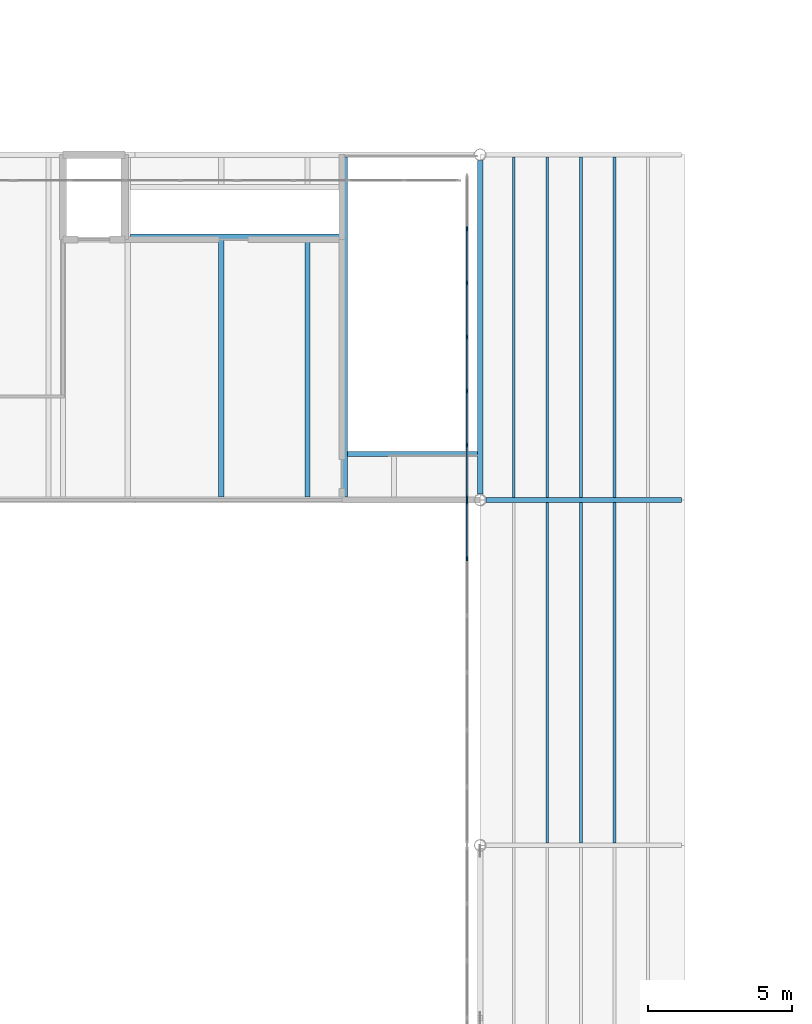
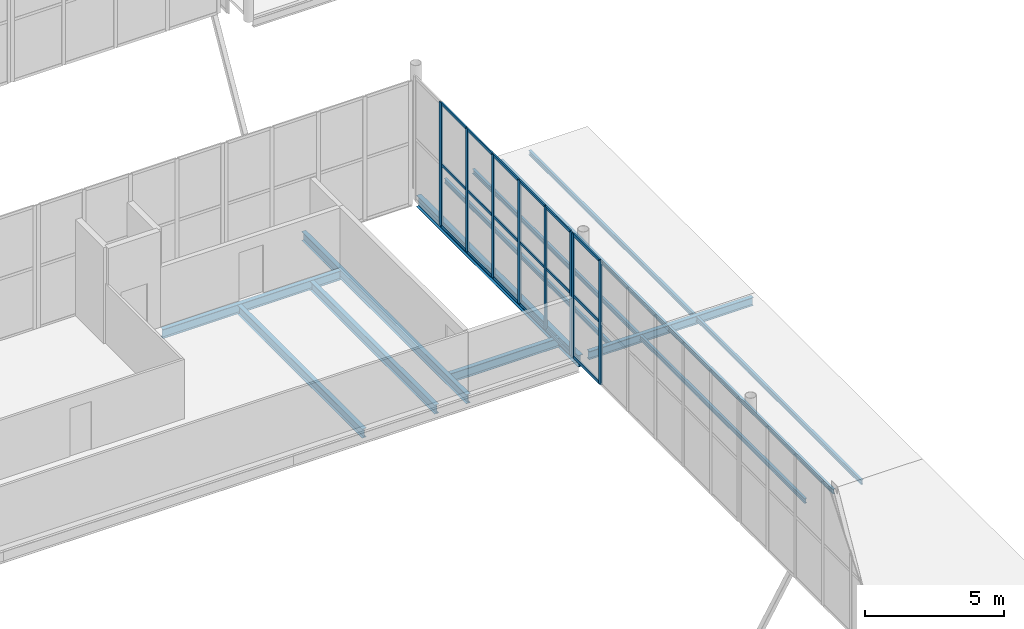
# One storey, part 58 of 170: 33 members, 7 beams, 2 elements without a shape of their own.
"""IFC4 building model written with IfcOpenShell, lengths in metres."""

from ifc_helpers import new_model, si_unit, direction, frame, origin, origin_2d, place, context, subcontext, project, spatial, rectangle, i_section, extrude, material, layer, layer_set, material_profile, profile_set, type_object, element, aggregate, save


model = new_model("IFC4")

# Units and contexts
model_context = context("Model", 3, precision=1e-05, world=origin(), true_north=direction((0.0, 1.0)))
body_context = subcontext(model_context, "Body", "Model", "MODEL_VIEW")
ifc_project = project(units=[si_unit("LENGTHUNIT", "METRE"), si_unit("AREAUNIT", "SQUARE_METRE"), si_unit("VOLUMEUNIT", "CUBIC_METRE"), si_unit("PLANEANGLEUNIT", "RADIAN"), si_unit("MASSUNIT", "GRAM", prefix="KILO")], contexts=[model_context])

# Site, building, storey
site_placement = place(None, origin())
site = spatial("IfcSite", under=ifc_project, at=site_placement, CompositionType="ELEMENT")
building_placement = place(site_placement, origin())
building = spatial("IfcBuilding", under=site, at=building_placement, Name="Ravi Spectrum Wholesale Market", CompositionType="ELEMENT")
storey_placement = place(building_placement, frame((0.0, 0.0, 5.39990234375)))
storey = spatial("IfcBuildingStorey", under=building, at=storey_placement, Name="L01", CompositionType="ELEMENT", Elevation=5.39990234375)

# Members
ifc_material_1 = material(Name="Steel S355", Category="steel")
ifc_material_profile_1 = material_profile(ifc_material_1, i_section(OverallWidth=0.10009765625, OverallDepth=0.199951171875, WebThickness=0.005615234375, FlangeThickness=0.008544921875, at=origin_2d()))
ifc_profile_set_1 = profile_set([ifc_material_profile_1], Name="Steel S355")
member_type_1 = type_object("IfcMemberType", Name="IPE 200 purlin", PredefinedType="PURLIN", material=ifc_profile_set_1)
for number, where, z_axis, x_axis, name in (
    (1, (200.333251953125, 102.0849609375, -0.099853515625), (0.0, 1.0, 0.0), (-1.0, 0.0, 0.0), "H2-MB-L01-020"),
    (2, (201.5, 102.0849609375, -0.099853515625), (0.0, 1.0, 0.0), (-1.0, 0.0, 0.0), "H2-MB-L01-021"),
    (3, (202.666748046875, 102.0849609375, -0.099853515625), (0.0, 1.0, 0.0), (-1.0, 0.0, 0.0), "H2-MB-L01-022"),
    (4, (199.166748046875, 114.0849609375, -0.099853515625), (0.0, 1.0, 0.0), (-1.0, 0.0, 0.0), "H2-MB-L01-024"),
    (5, (200.333251953125, 114.0849609375, -0.099853515625), (0.0, 1.0, 0.0), (-1.0, 0.0, 0.0), "H2-MB-L01-025"),
    (6, (201.5, 114.0849609375, -0.099853515625), (0.0, 1.0, 0.0), (-1.0, 0.0, 0.0), "H2-MB-L01-026"),
    (7, (202.666748046875, 114.0849609375, -0.099853515625), (0.0, 1.0, 0.0), (-1.0, 0.0, 0.0), "H2-MB-L01-027"),
):
    element("IfcMember", number, at=place(storey_placement, frame(where, z_axis=z_axis, x_axis=x_axis)), inside=storey, type_object=member_type_1, Name=name, PredefinedType="PURLIN", context=body_context, shape_type="SweptSolid", body=[
        extrude(i_section(OverallWidth=0.10009765625, OverallDepth=0.199951171875, WebThickness=0.005615234375, FlangeThickness=0.008544921875, at=origin_2d()), origin(), (0.0, 0.0, 1.0), 11.830078125),
    ])

# Beams
ifc_material_2 = material(Name="Steel S355", Category="steel")
ifc_material_profile_2 = material_profile(ifc_material_2, i_section(OverallWidth=0.169921875, OverallDepth=0.360107421875, WebThickness=0.008056640625, FlangeThickness=0.0126953125, at=origin_2d()))
ifc_profile_set_2 = profile_set([ifc_material_profile_2], Name="Steel S355")
beam_type_1 = type_object("IfcBeamType", Name="IPE 360 beam", PredefinedType="BEAM", material=ifc_profile_set_2)
beam_1_placement = place(storey_placement, frame((198.203125, 114.0, -0.179931640625), z_axis=(1.0, 0.0, 0.0), x_axis=(0.0, 1.0, 0.0)))
element("IfcBeam", 8, at=beam_1_placement, inside=storey, type_object=beam_type_1, Name="H2-BM-L01-041", PredefinedType="BEAM", context=body_context, shape_type="SweptSolid", body=[
    extrude(i_section(OverallWidth=0.169921875, OverallDepth=0.360107421875, WebThickness=0.008056640625, FlangeThickness=0.0126953125, at=origin_2d()), origin(), (0.0, 0.0, 1.0), 6.796875),
])
ifc_material_3 = material(Name="Steel S355", Category="steel")
ifc_material_profile_3 = material_profile(ifc_material_3, i_section(OverallWidth=0.179931640625, OverallDepth=0.39990234375, WebThickness=0.008544921875, FlangeThickness=0.013427734375, at=origin_2d()))
ifc_profile_set_3 = profile_set([ifc_material_profile_3], Name="Steel S355")
beam_type_2 = type_object("IfcBeamType", Name="IPE 400 beam", PredefinedType="BEAM", material=ifc_profile_set_3)
for number, where, z_axis, x_axis, name in (
    (9, (189.0, 114.10009765625, -0.449951171875), (0.0, 1.0, 0.0), (-1.0, 0.0, 0.0), "H2-BM-L01-023"),
    (10, (192.0, 114.10009765625, -0.449951171875), (0.0, 1.0, 0.0), (-1.0, 0.0, 0.0), "H2-BM-L01-025"),
):
    element("IfcBeam", number, at=place(storey_placement, frame(where, z_axis=z_axis, x_axis=x_axis)), inside=storey, type_object=beam_type_2, Name=name, PredefinedType="BEAM", context=body_context, shape_type="SweptSolid", body=[
        extrude(i_section(OverallWidth=0.179931640625, OverallDepth=0.39990234375, WebThickness=0.008544921875, FlangeThickness=0.013427734375, at=origin_2d()), origin(), (0.0, 0.0, 1.0), 8.9599609375),
    ])
beam_2_placement = place(storey_placement, frame((193.300048828125, 114.10009765625, -0.449951171875), z_axis=(0.0, 1.0, 0.0), x_axis=(-1.0, 0.0, 0.0)))
element("IfcBeam", 11, at=beam_2_placement, inside=storey, type_object=beam_type_2, Name="H2-BM-L01-027", PredefinedType="BEAM", context=body_context, shape_type="SweptSolid", body=[
    extrude(i_section(OverallWidth=0.179931640625, OverallDepth=0.39990234375, WebThickness=0.008544921875, FlangeThickness=0.013427734375, at=origin_2d()), origin(), (0.0, 0.0, 1.0), 11.7998046875),
])
beam_3_placement = place(storey_placement, frame((185.840087890625, 123.14990234375, -0.449951171875), z_axis=(1.0, 0.0, 0.0), x_axis=(0.0, 1.0, 0.0)))
element("IfcBeam", 12, at=beam_3_placement, inside=storey, type_object=beam_type_2, Name="H2-BM-L01-031", PredefinedType="BEAM", context=body_context, shape_type="SweptSolid", body=[
    extrude(i_section(OverallWidth=0.179931640625, OverallDepth=0.39990234375, WebThickness=0.008544921875, FlangeThickness=0.013427734375, at=origin_2d()), origin(), (0.0, 0.0, 1.0), 7.369873046875),
])
beam_4_placement = place(storey_placement, frame((193.389892578125, 115.60009765625, -0.449951171875), z_axis=(1.0, 0.0, 0.0), x_axis=(0.0, 1.0, 0.0)))
element("IfcBeam", 13, at=beam_4_placement, inside=storey, type_object=beam_type_2, Name="H2-BM-L01-033", PredefinedType="BEAM", context=body_context, shape_type="SweptSolid", body=[
    extrude(i_section(OverallWidth=0.179931640625, OverallDepth=0.39990234375, WebThickness=0.008544921875, FlangeThickness=0.013427734375, at=origin_2d()), origin(), (0.0, 0.0, 1.0), 4.510009765625),
])
ifc_material_4 = material(Name="Steel S355", Category="steel")
ifc_material_profile_4 = material_profile(ifc_material_4, i_section(OverallWidth=0.199951171875, OverallDepth=0.5, WebThickness=0.01025390625, FlangeThickness=0.01611328125, at=origin_2d()))
ifc_profile_set_4 = profile_set([ifc_material_profile_4], Name="Steel S355")
beam_type_3 = type_object("IfcBeamType", Name="IPE 500 girder", PredefinedType="BEAM", material=ifc_profile_set_4)
beam_5_placement = place(storey_placement, frame((198.0, 114.203125, -0.5), z_axis=(0.0, 1.0, 0.0), x_axis=(-1.0, 0.0, 0.0)))
element("IfcBeam", 14, at=beam_5_placement, inside=storey, type_object=beam_type_3, Name="H2-BM-L01-010", PredefinedType="BEAM", context=body_context, shape_type="SweptSolid", body=[
    extrude(i_section(OverallWidth=0.199951171875, OverallDepth=0.5, WebThickness=0.01025390625, FlangeThickness=0.01611328125, at=origin_2d()), origin(), (0.0, 0.0, 1.0), 11.59375),
])

# Curtain wall, members
ifc_material_5 = material(Name="Aluminium 6063-T6", Category="aluminium")
ifc_layer = layer(ifc_material_5, 0.14990234375)
ifc_layer_set = layer_set([ifc_layer], Name="Aluminium 6063-T6")
curtain_wall_type = type_object("IfcCurtainWallType", Name="Curtain wall 150", PredefinedType="NOTDEFINED", material=ifc_layer_set)
curtain_wall_1_placement = place(storey_placement, origin())
curtain_wall_1 = element("IfcCurtainWall", 15, at=curtain_wall_1_placement, inside=storey, type_object=curtain_wall_type, Name="H2-CW-L01-007", PredefinedType="NOTDEFINED")
ifc_material_6 = material(Name="Aluminium 6063-T6", Category="aluminium")
ifc_material_profile_5 = material_profile(ifc_material_6, rectangle(XDim=0.06005859375, YDim=0.159912109375, at=origin_2d()))
ifc_profile_set_5 = profile_set([ifc_material_profile_5], Name="Aluminium 6063-T6")
member_type_2 = type_object("IfcMemberType", Name="Mullion 60 x 160", PredefinedType="MULLION", material=ifc_profile_set_5)
member_1_placement = place(storey_placement, frame((197.546875, 111.973388671875, 0.0), z_axis=(0.0, 0.0, 1.0), x_axis=(-1.0, 0.0, 0.0)))
member_1 = element("IfcMember", 16, at=member_1_placement, type_object=member_type_2, Name="H2-CW-L01-007 mullion 6", PredefinedType="MULLION", context=body_context, shape_type="SweptSolid", body=[
    extrude(rectangle(XDim=0.06005859375, YDim=0.159912109375, at=origin_2d()), origin(), (0.0, 0.0, 1.0), 5.400146484375),
])
member_2_placement = place(storey_placement, frame((197.546875, 113.929931640625, 0.0), z_axis=(0.0, 0.0, 1.0), x_axis=(-1.0, 0.0, 0.0)))
member_2 = element("IfcMember", 17, at=member_2_placement, type_object=member_type_2, Name="H2-CW-L01-007 mullion 7", PredefinedType="MULLION", context=body_context, shape_type="SweptSolid", body=[
    extrude(rectangle(XDim=0.06005859375, YDim=0.159912109375, at=origin_2d()), origin(), (0.0, 0.0, 1.0), 5.400146484375),
])

curtain_wall_2_placement = place(storey_placement, origin())
curtain_wall_2 = element("IfcCurtainWall", 18, at=curtain_wall_2_placement, inside=storey, type_object=curtain_wall_type, Name="H2-CW-L01-008", PredefinedType="NOTDEFINED")
member_3_placement = place(storey_placement, frame((197.546875, 114.070068359375, 0.0), z_axis=(0.0, 0.0, 1.0), x_axis=(-1.0, 0.0, 0.0)))
member_3 = element("IfcMember", 19, at=member_3_placement, type_object=member_type_2, Name="H2-CW-L01-008 mullion 1", PredefinedType="MULLION", context=body_context, shape_type="SweptSolid", body=[
    extrude(rectangle(XDim=0.06005859375, YDim=0.159912109375, at=origin_2d()), origin(), (0.0, 0.0, 1.0), 5.400146484375),
])
member_4_placement = place(storey_placement, frame((197.546875, 115.9150390625, 0.0), z_axis=(0.0, 0.0, 1.0), x_axis=(-1.0, 0.0, 0.0)))
member_4 = element("IfcMember", 20, at=member_4_placement, type_object=member_type_2, Name="H2-CW-L01-008 mullion 2", PredefinedType="MULLION", context=body_context, shape_type="SweptSolid", body=[
    extrude(rectangle(XDim=0.06005859375, YDim=0.159912109375, at=origin_2d()), origin(), (0.0, 0.0, 1.0), 5.400146484375),
])
member_5_placement = place(storey_placement, frame((197.546875, 117.7900390625, 0.0), z_axis=(0.0, 0.0, 1.0), x_axis=(-1.0, 0.0, 0.0)))
member_5 = element("IfcMember", 21, at=member_5_placement, type_object=member_type_2, Name="H2-CW-L01-008 mullion 3", PredefinedType="MULLION", context=body_context, shape_type="SweptSolid", body=[
    extrude(rectangle(XDim=0.06005859375, YDim=0.159912109375, at=origin_2d()), origin(), (0.0, 0.0, 1.0), 5.400146484375),
])
member_6_placement = place(storey_placement, frame((197.546875, 119.6650390625, 0.0), z_axis=(0.0, 0.0, 1.0), x_axis=(-1.0, 0.0, 0.0)))
member_6 = element("IfcMember", 22, at=member_6_placement, type_object=member_type_2, Name="H2-CW-L01-008 mullion 4", PredefinedType="MULLION", context=body_context, shape_type="SweptSolid", body=[
    extrude(rectangle(XDim=0.06005859375, YDim=0.159912109375, at=origin_2d()), origin(), (0.0, 0.0, 1.0), 5.400146484375),
])
member_7_placement = place(storey_placement, frame((197.546875, 121.5400390625, 0.0), z_axis=(0.0, 0.0, 1.0), x_axis=(-1.0, 0.0, 0.0)))
member_7 = element("IfcMember", 23, at=member_7_placement, type_object=member_type_2, Name="H2-CW-L01-008 mullion 5", PredefinedType="MULLION", context=body_context, shape_type="SweptSolid", body=[
    extrude(rectangle(XDim=0.06005859375, YDim=0.159912109375, at=origin_2d()), origin(), (0.0, 0.0, 1.0), 5.400146484375),
])
member_8_placement = place(storey_placement, frame((197.546875, 123.4150390625, 0.0), z_axis=(0.0, 0.0, 1.0), x_axis=(-1.0, 0.0, 0.0)))
member_8 = element("IfcMember", 24, at=member_8_placement, type_object=member_type_2, Name="H2-CW-L01-008 mullion 6", PredefinedType="MULLION", context=body_context, shape_type="SweptSolid", body=[
    extrude(rectangle(XDim=0.06005859375, YDim=0.159912109375, at=origin_2d()), origin(), (0.0, 0.0, 1.0), 5.400146484375),
])

# Member
ifc_material_7 = material(Name="Aluminium 6063-T6", Category="aluminium")
ifc_material_profile_6 = material_profile(ifc_material_7, rectangle(XDim=0.06005859375, YDim=0.1201171875, at=origin_2d()))
ifc_profile_set_6 = profile_set([ifc_material_profile_6], Name="Aluminium 6063-T6")
member_type_3 = type_object("IfcMemberType", Name="Transom 60 x 120", PredefinedType="USERDEFINED", material=ifc_profile_set_6)
member_9_placement = place(storey_placement, frame((197.546875, 112.00341796875, 0.030029296875), z_axis=(0.0, 1.0, 0.0), x_axis=(-1.0, 0.0, 0.0)))
member_9 = element("IfcMember", 25, at=member_9_placement, type_object=member_type_3, Name="H2-CW-L01-007 transom 6.1", ObjectType="TRANSOM", PredefinedType="USERDEFINED", context=body_context, shape_type="SweptSolid", body=[
    extrude(rectangle(XDim=0.06005859375, YDim=0.1201171875, at=origin_2d()), origin(), (0.0, 0.0, 1.0), 1.896484375),
])

member_10_placement = place(storey_placement, frame((197.546875, 112.00341796875, 2.7001953125), z_axis=(0.0, 1.0, 0.0), x_axis=(-1.0, 0.0, 0.0)))
member_10 = element("IfcMember", 26, at=member_10_placement, type_object=member_type_3, Name="H2-CW-L01-007 transom 6.2", ObjectType="TRANSOM", PredefinedType="USERDEFINED", context=body_context, shape_type="SweptSolid", body=[
    extrude(rectangle(XDim=0.06005859375, YDim=0.1201171875, at=origin_2d()), origin(), (0.0, 0.0, 1.0), 1.896484375),
])

member_11_placement = place(storey_placement, frame((197.546875, 112.00341796875, 5.3701171875), z_axis=(0.0, 1.0, 0.0), x_axis=(-1.0, 0.0, 0.0)))
member_11 = element("IfcMember", 27, at=member_11_placement, type_object=member_type_3, Name="H2-CW-L01-007 transom 6.3", ObjectType="TRANSOM", PredefinedType="USERDEFINED", context=body_context, shape_type="SweptSolid", body=[
    extrude(rectangle(XDim=0.06005859375, YDim=0.1201171875, at=origin_2d()), origin(), (0.0, 0.0, 1.0), 1.896484375),
])

aggregate(curtain_wall_1, [member_1, member_2, member_9, member_10, member_11])

member_12_placement = place(storey_placement, frame((197.546875, 114.10009765625, 0.030029296875), z_axis=(0.0, 1.0, 0.0), x_axis=(-1.0, 0.0, 0.0)))
member_12 = element("IfcMember", 28, at=member_12_placement, type_object=member_type_3, Name="H2-CW-L01-008 transom 1.1", ObjectType="TRANSOM", PredefinedType="USERDEFINED", context=body_context, shape_type="SweptSolid", body=[
    extrude(rectangle(XDim=0.06005859375, YDim=0.1201171875, at=origin_2d()), origin(), (0.0, 0.0, 1.0), 1.784912109375),
])

member_13_placement = place(storey_placement, frame((197.546875, 114.10009765625, 2.7001953125), z_axis=(0.0, 1.0, 0.0), x_axis=(-1.0, 0.0, 0.0)))
member_13 = element("IfcMember", 29, at=member_13_placement, type_object=member_type_3, Name="H2-CW-L01-008 transom 1.2", ObjectType="TRANSOM", PredefinedType="USERDEFINED", context=body_context, shape_type="SweptSolid", body=[
    extrude(rectangle(XDim=0.06005859375, YDim=0.1201171875, at=origin_2d()), origin(), (0.0, 0.0, 1.0), 1.784912109375),
])

member_14_placement = place(storey_placement, frame((197.546875, 114.10009765625, 5.3701171875), z_axis=(0.0, 1.0, 0.0), x_axis=(-1.0, 0.0, 0.0)))
member_14 = element("IfcMember", 30, at=member_14_placement, type_object=member_type_3, Name="H2-CW-L01-008 transom 1.3", ObjectType="TRANSOM", PredefinedType="USERDEFINED", context=body_context, shape_type="SweptSolid", body=[
    extrude(rectangle(XDim=0.06005859375, YDim=0.1201171875, at=origin_2d()), origin(), (0.0, 0.0, 1.0), 1.784912109375),
])

member_15_placement = place(storey_placement, frame((197.546875, 115.945068359375, 0.030029296875), z_axis=(0.0, 1.0, 0.0), x_axis=(-1.0, 0.0, 0.0)))
member_15 = element("IfcMember", 31, at=member_15_placement, type_object=member_type_3, Name="H2-CW-L01-008 transom 2.1", ObjectType="TRANSOM", PredefinedType="USERDEFINED", context=body_context, shape_type="SweptSolid", body=[
    extrude(rectangle(XDim=0.06005859375, YDim=0.1201171875, at=origin_2d()), origin(), (0.0, 0.0, 1.0), 1.81494140625),
])

member_16_placement = place(storey_placement, frame((197.546875, 115.945068359375, 2.7001953125), z_axis=(0.0, 1.0, 0.0), x_axis=(-1.0, 0.0, 0.0)))
member_16 = element("IfcMember", 32, at=member_16_placement, type_object=member_type_3, Name="H2-CW-L01-008 transom 2.2", ObjectType="TRANSOM", PredefinedType="USERDEFINED", context=body_context, shape_type="SweptSolid", body=[
    extrude(rectangle(XDim=0.06005859375, YDim=0.1201171875, at=origin_2d()), origin(), (0.0, 0.0, 1.0), 1.81494140625),
])

member_17_placement = place(storey_placement, frame((197.546875, 115.945068359375, 5.3701171875), z_axis=(0.0, 1.0, 0.0), x_axis=(-1.0, 0.0, 0.0)))
member_17 = element("IfcMember", 33, at=member_17_placement, type_object=member_type_3, Name="H2-CW-L01-008 transom 2.3", ObjectType="TRANSOM", PredefinedType="USERDEFINED", context=body_context, shape_type="SweptSolid", body=[
    extrude(rectangle(XDim=0.06005859375, YDim=0.1201171875, at=origin_2d()), origin(), (0.0, 0.0, 1.0), 1.81494140625),
])

member_18_placement = place(storey_placement, frame((197.546875, 117.820068359375, 0.030029296875), z_axis=(0.0, 1.0, 0.0), x_axis=(-1.0, 0.0, 0.0)))
member_18 = element("IfcMember", 34, at=member_18_placement, type_object=member_type_3, Name="H2-CW-L01-008 transom 3.1", ObjectType="TRANSOM", PredefinedType="USERDEFINED", context=body_context, shape_type="SweptSolid", body=[
    extrude(rectangle(XDim=0.06005859375, YDim=0.1201171875, at=origin_2d()), origin(), (0.0, 0.0, 1.0), 1.81494140625),
])

member_19_placement = place(storey_placement, frame((197.546875, 117.820068359375, 2.7001953125), z_axis=(0.0, 1.0, 0.0), x_axis=(-1.0, 0.0, 0.0)))
member_19 = element("IfcMember", 35, at=member_19_placement, type_object=member_type_3, Name="H2-CW-L01-008 transom 3.2", ObjectType="TRANSOM", PredefinedType="USERDEFINED", context=body_context, shape_type="SweptSolid", body=[
    extrude(rectangle(XDim=0.06005859375, YDim=0.1201171875, at=origin_2d()), origin(), (0.0, 0.0, 1.0), 1.81494140625),
])

member_20_placement = place(storey_placement, frame((197.546875, 117.820068359375, 5.3701171875), z_axis=(0.0, 1.0, 0.0), x_axis=(-1.0, 0.0, 0.0)))
member_20 = element("IfcMember", 36, at=member_20_placement, type_object=member_type_3, Name="H2-CW-L01-008 transom 3.3", ObjectType="TRANSOM", PredefinedType="USERDEFINED", context=body_context, shape_type="SweptSolid", body=[
    extrude(rectangle(XDim=0.06005859375, YDim=0.1201171875, at=origin_2d()), origin(), (0.0, 0.0, 1.0), 1.81494140625),
])

member_21_placement = place(storey_placement, frame((197.546875, 119.695068359375, 0.030029296875), z_axis=(0.0, 1.0, 0.0), x_axis=(-1.0, 0.0, 0.0)))
member_21 = element("IfcMember", 37, at=member_21_placement, type_object=member_type_3, Name="H2-CW-L01-008 transom 4.1", ObjectType="TRANSOM", PredefinedType="USERDEFINED", context=body_context, shape_type="SweptSolid", body=[
    extrude(rectangle(XDim=0.06005859375, YDim=0.1201171875, at=origin_2d()), origin(), (0.0, 0.0, 1.0), 1.81494140625),
])

member_22_placement = place(storey_placement, frame((197.546875, 119.695068359375, 2.7001953125), z_axis=(0.0, 1.0, 0.0), x_axis=(-1.0, 0.0, 0.0)))
member_22 = element("IfcMember", 38, at=member_22_placement, type_object=member_type_3, Name="H2-CW-L01-008 transom 4.2", ObjectType="TRANSOM", PredefinedType="USERDEFINED", context=body_context, shape_type="SweptSolid", body=[
    extrude(rectangle(XDim=0.06005859375, YDim=0.1201171875, at=origin_2d()), origin(), (0.0, 0.0, 1.0), 1.81494140625),
])

member_23_placement = place(storey_placement, frame((197.546875, 119.695068359375, 5.3701171875), z_axis=(0.0, 1.0, 0.0), x_axis=(-1.0, 0.0, 0.0)))
member_23 = element("IfcMember", 39, at=member_23_placement, type_object=member_type_3, Name="H2-CW-L01-008 transom 4.3", ObjectType="TRANSOM", PredefinedType="USERDEFINED", context=body_context, shape_type="SweptSolid", body=[
    extrude(rectangle(XDim=0.06005859375, YDim=0.1201171875, at=origin_2d()), origin(), (0.0, 0.0, 1.0), 1.81494140625),
])

member_24_placement = place(storey_placement, frame((197.546875, 121.570068359375, 0.030029296875), z_axis=(0.0, 1.0, 0.0), x_axis=(-1.0, 0.0, 0.0)))
member_24 = element("IfcMember", 40, at=member_24_placement, type_object=member_type_3, Name="H2-CW-L01-008 transom 5.1", ObjectType="TRANSOM", PredefinedType="USERDEFINED", context=body_context, shape_type="SweptSolid", body=[
    extrude(rectangle(XDim=0.06005859375, YDim=0.1201171875, at=origin_2d()), origin(), (0.0, 0.0, 1.0), 1.81494140625),
])

member_25_placement = place(storey_placement, frame((197.546875, 121.570068359375, 2.7001953125), z_axis=(0.0, 1.0, 0.0), x_axis=(-1.0, 0.0, 0.0)))
member_25 = element("IfcMember", 41, at=member_25_placement, type_object=member_type_3, Name="H2-CW-L01-008 transom 5.2", ObjectType="TRANSOM", PredefinedType="USERDEFINED", context=body_context, shape_type="SweptSolid", body=[
    extrude(rectangle(XDim=0.06005859375, YDim=0.1201171875, at=origin_2d()), origin(), (0.0, 0.0, 1.0), 1.81494140625),
])

member_26_placement = place(storey_placement, frame((197.546875, 121.570068359375, 5.3701171875), z_axis=(0.0, 1.0, 0.0), x_axis=(-1.0, 0.0, 0.0)))
member_26 = element("IfcMember", 42, at=member_26_placement, type_object=member_type_3, Name="H2-CW-L01-008 transom 5.3", ObjectType="TRANSOM", PredefinedType="USERDEFINED", context=body_context, shape_type="SweptSolid", body=[
    extrude(rectangle(XDim=0.06005859375, YDim=0.1201171875, at=origin_2d()), origin(), (0.0, 0.0, 1.0), 1.81494140625),
])

aggregate(curtain_wall_2, [member_3, member_4, member_5, member_6, member_7, member_8, member_12, member_13, member_14, member_15, member_16, member_17, member_18, member_19, member_20, member_21, member_22, member_23, member_24, member_25, member_26])

save(model, "model.ifc")
